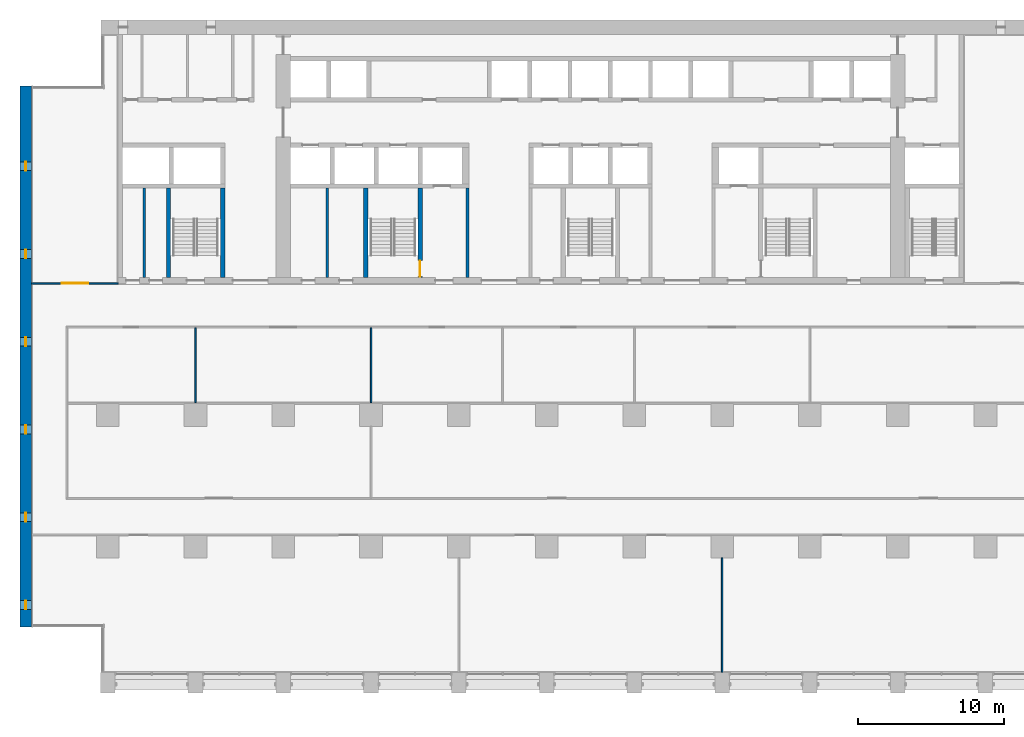
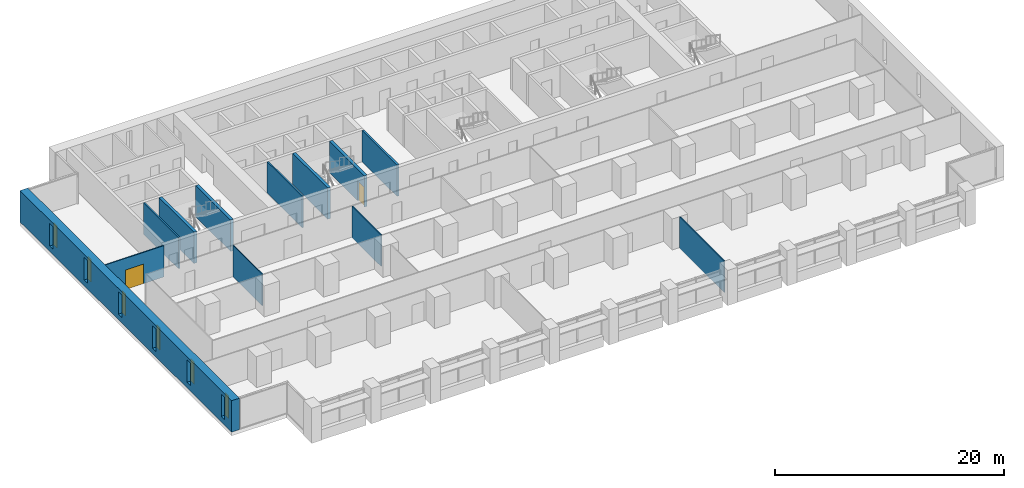
# One storey, part 8 of 17: 12 walls, 6 windows, 2 doors, 8 openings.
"""IFC4 building model written with IfcOpenShell, lengths in metres."""

from ifc_helpers import new_model, si_unit, direction, frame, frame_2d, origin, place, context, subcontext, project, spatial, rectangle, extrude, material, layer, layer_set, type_object, element, fill, save


model = new_model("IFC4")

# Units and contexts
model_context = context("Model", 3, precision=1e-05, world=origin(), true_north=direction((0.0, 1.0)))
body_context = subcontext(model_context, "Body", "Model", "MODEL_VIEW")
ifc_project = project(units=[si_unit("LENGTHUNIT", "METRE"), si_unit("AREAUNIT", "SQUARE_METRE"), si_unit("VOLUMEUNIT", "CUBIC_METRE"), si_unit("PLANEANGLEUNIT", "RADIAN"), si_unit("MASSUNIT", "GRAM", prefix="KILO")], contexts=[model_context])

# Site, building, storey
site_placement = place(None, origin())
site = spatial("IfcSite", under=ifc_project, at=site_placement, CompositionType="ELEMENT")
building_placement = place(site_placement, origin())
building = spatial("IfcBuilding", under=site, at=building_placement, Name="Calvaro Tower", CompositionType="ELEMENT")
storey_placement = place(building_placement, frame((0.0, 0.0, 71.25)))
storey = spatial("IfcBuildingStorey", under=building, at=storey_placement, Name="L17", CompositionType="ELEMENT", Elevation=71.25)

# Walls
ifc_material_1 = material(Name="Blockwork partition", Category="masonry")
ifc_layer_1 = layer(ifc_material_1, 0.14990234375)
ifc_layer_set_1 = layer_set([ifc_layer_1], Name="Blockwork partition")
wall_type_1 = type_object("IfcWallType", Name="Core partition 150 EI 60", PredefinedType="PARTITIONING", material=ifc_layer_set_1)
wall_1_placement = place(storey_placement, frame((21.0, 28.39990234375, 0.0), z_axis=(0.0, 0.0, 1.0), x_axis=(0.0, 1.0, 0.0)))
element("IfcWall", 1, at=wall_1_placement, inside=storey, type_object=wall_type_1, Name="Core partition", PredefinedType="PARTITIONING", context=body_context, shape_type="SweptSolid", body=[
    extrude(rectangle(XDim=6.10009765625, YDim=0.14990234375, at=frame_2d((3.050048828125, 0.0))), origin(), (0.0, 0.0, 1.0), 3.35009765625),
])
ifc_material_2 = material(Name="Blockwork partition", Category="masonry")
ifc_layer_2 = layer(ifc_material_2, 0.14990234375)
ifc_layer_set_2 = layer_set([ifc_layer_2], Name="Blockwork partition")
wall_type_2 = type_object("IfcWallType", Name="Core partition 150 REI 120", PredefinedType="PARTITIONING", material=ifc_layer_set_2)
wall_2_placement = place(storey_placement, frame((8.5, 28.39990234375, 0.0), z_axis=(0.0, 0.0, 1.0), x_axis=(0.0, 1.0, 0.0)))
element("IfcWall", 2, at=wall_2_placement, inside=storey, type_object=wall_type_2, Name="Core partition", PredefinedType="PARTITIONING", context=body_context, shape_type="SweptSolid", body=[
    extrude(rectangle(XDim=6.10009765625, YDim=0.14990234375, at=frame_2d((3.050048828125, 0.0))), origin(), (0.0, 0.0, 1.0), 3.35009765625),
])
ifc_material_3 = material(Name="Blockwork partition", Category="masonry")
ifc_layer_3 = layer(ifc_material_3, 0.199951171875)
ifc_layer_set_3 = layer_set([ifc_layer_3], Name="Blockwork partition")
wall_type_3 = type_object("IfcWallType", Name="Core partition 200 REI 120", PredefinedType="PARTITIONING", material=ifc_layer_set_3)
wall_3_placement = place(storey_placement, frame((30.60009765625, 28.39990234375, 0.0), z_axis=(0.0, 0.0, 1.0), x_axis=(0.0, 1.0, 0.0)))
element("IfcWall", 3, at=wall_3_placement, inside=storey, type_object=wall_type_3, Name="Core partition", PredefinedType="PARTITIONING", context=body_context, shape_type="SweptSolid", body=[
    extrude(rectangle(XDim=6.10009765625, YDim=0.199951171875, at=frame_2d((3.050048828125, 0.0))), origin(), (0.0, 0.0, 1.0), 3.35009765625),
])
ifc_material_4 = material(Name="Concrete C80/95", Category="concrete")
ifc_layer_4 = layer(ifc_material_4, 0.300048828125)
ifc_layer_set_4 = layer_set([ifc_layer_4], Name="Concrete C80/95")
wall_type_4 = type_object("IfcWallType", Name="Core wall C80/95 300", PredefinedType="SHEAR", material=ifc_layer_set_4)
for number, where, z_axis, x_axis, name in (
    (4, (10.14990234375, 28.39990234375, 0.0), (0.0, 0.0, 1.0), (0.0, 1.0, 0.0), "Core wall, stair enclosure"),
    (5, (13.85009765625, 28.39990234375, 0.0), (0.0, 0.0, 1.0), (0.0, 1.0, 0.0), "Core wall, stair enclosure"),
    (6, (23.64990234375, 28.39990234375, 0.0), (0.0, 0.0, 1.0), (0.0, 1.0, 0.0), "Core wall, stair enclosure"),
):
    element("IfcWall", number, at=place(storey_placement, frame(where, z_axis=z_axis, x_axis=x_axis)), inside=storey, type_object=wall_type_4, Name=name, PredefinedType="SHEAR", context=body_context, shape_type="SweptSolid", body=[
        extrude(rectangle(XDim=6.10009765625, YDim=0.300048828125, at=frame_2d((3.050048828125, 0.0))), origin(), (0.0, 0.0, 1.0), 3.35009765625),
    ])

# Wall, opening, door
wall_4_placement = place(storey_placement, frame((27.35009765625, 28.39990234375, 0.0), z_axis=(0.0, 0.0, 1.0), x_axis=(0.0, 1.0, 0.0)))
wall_4 = element("IfcWall", 7, at=wall_4_placement, inside=storey, type_object=wall_type_4, Name="Core wall, stair enclosure", PredefinedType="SHEAR", context=body_context, shape_type="SweptSolid", body=[
    extrude(rectangle(XDim=6.10009765625, YDim=0.300048828125, at=frame_2d((3.050048828125, 0.0))), origin(), (0.0, 0.0, 1.0), 3.35009765625),
])
opening_1_placement = place(wall_4_placement, frame((0.050048828125, 0.0, 0.0)))
opening_1 = element("IfcOpeningElement", 8, at=opening_1_placement, cuts=wall_4, Name="Opening FD11D", PredefinedType="OPENING", context=body_context, shape_type="SweptSolid", body=[
    extrude(rectangle(XDim=1.10009765625, YDim=2.10009765625, at=frame_2d((0.550048828125, 1.050048828125))), frame((0.0, 0.159912109375, 0.0), z_axis=(0.0, -1.0, 0.0), x_axis=(1.0, 0.0, 0.0)), (0.0, 0.0, 1.0), 0.320068359375),
])
ifc_material_5 = material(Name="Steel door set", Category="steel")
door_type_1 = type_object("IfcDoorType", Name="Fire door 1100 FD30S", OperationType="SINGLE_SWING_LEFT", PredefinedType="DOOR", material=ifc_material_5)
door_1_placement = place(opening_1_placement, origin())
door_1 = element("IfcDoor", 9, at=door_1_placement, inside=storey, type_object=door_type_1, Name="Fire door", OperationType="SINGLE_SWING_LEFT", OverallHeight=2.10009765625, OverallWidth=1.10009765625, PredefinedType="DOOR", context=body_context, shape_type="SweptSolid", body=[
    extrude(rectangle(XDim=1.10009765625, YDim=2.10009765625, at=frame_2d((0.550048828125, 1.050048828125))), frame((0.0, 0.02490234375, 0.0), z_axis=(0.0, -1.0, 0.0), x_axis=(1.0, 0.0, 0.0)), (0.0, 0.0, 1.0), 0.050048828125),
])
fill(opening_1, door_1)

# Wall, openings, windows
ifc_material_6 = material(Name="Concrete C80/95", Category="concrete")
ifc_layer_5 = layer(ifc_material_6, 0.800048828125)
ifc_layer_set_5 = layer_set([ifc_layer_5], Name="Concrete C80/95")
wall_type_5 = type_object("IfcWallType", Name="End wall 800 C80/95", PredefinedType="SHEAR", material=ifc_layer_set_5)
wall_5_placement = place(storey_placement, frame((0.39990234375, 4.5, 0.0), z_axis=(0.0, 0.0, 1.0), x_axis=(0.0, 1.0, 0.0)))
wall_5 = element("IfcWall", 10, at=wall_5_placement, inside=storey, type_object=wall_type_5, Name="End shear wall", PredefinedType="SHEAR", context=body_context, shape_type="SweptSolid", body=[
    extrude(rectangle(XDim=37.0, YDim=0.800048828125, at=frame_2d((18.5, 0.0))), origin(), (0.0, 0.0, 1.0), 3.35009765625),
])
opening_2_placement = place(wall_5_placement, frame((1.199951171875, 0.0, 0.60009765625)))
opening_2 = element("IfcOpeningElement", 11, at=opening_2_placement, cuts=wall_5, Name="Opening WW01", PredefinedType="OPENING", context=body_context, shape_type="SweptSolid", body=[
    extrude(rectangle(XDim=0.60009765625, YDim=2.39990234375, at=frame_2d((0.300048828125, 1.199951171875))), frame((0.0, 0.409912109375, 0.0), z_axis=(0.0, -1.0, 0.0), x_axis=(1.0, 0.0, 0.0)), (0.0, 0.0, 1.0), 0.820068359375),
])
opening_3_placement = place(wall_5_placement, frame((7.199951171875, 0.0, 0.60009765625)))
opening_3 = element("IfcOpeningElement", 12, at=opening_3_placement, cuts=wall_5, Name="Opening WW02", PredefinedType="OPENING", context=body_context, shape_type="SweptSolid", body=[
    extrude(rectangle(XDim=0.60009765625, YDim=2.39990234375, at=frame_2d((0.300048828125, 1.199951171875))), frame((0.0, 0.409912109375, 0.0), z_axis=(0.0, -1.0, 0.0), x_axis=(1.0, 0.0, 0.0)), (0.0, 0.0, 1.0), 0.820068359375),
])
opening_4_placement = place(wall_5_placement, frame((13.199951171875, 0.0, 0.60009765625)))
opening_4 = element("IfcOpeningElement", 13, at=opening_4_placement, cuts=wall_5, Name="Opening WW03", PredefinedType="OPENING", context=body_context, shape_type="SweptSolid", body=[
    extrude(rectangle(XDim=0.60009765625, YDim=2.39990234375, at=frame_2d((0.300048828125, 1.199951171875))), frame((0.0, 0.409912109375, 0.0), z_axis=(0.0, -1.0, 0.0), x_axis=(1.0, 0.0, 0.0)), (0.0, 0.0, 1.0), 0.820068359375),
])
opening_5_placement = place(wall_5_placement, frame((19.199951171875, 0.0, 0.60009765625)))
opening_5 = element("IfcOpeningElement", 14, at=opening_5_placement, cuts=wall_5, Name="Opening WW04", PredefinedType="OPENING", context=body_context, shape_type="SweptSolid", body=[
    extrude(rectangle(XDim=0.60009765625, YDim=2.39990234375, at=frame_2d((0.300048828125, 1.199951171875))), frame((0.0, 0.409912109375, 0.0), z_axis=(0.0, -1.0, 0.0), x_axis=(1.0, 0.0, 0.0)), (0.0, 0.0, 1.0), 0.820068359375),
])
opening_6_placement = place(wall_5_placement, frame((25.199951171875, 0.0, 0.60009765625)))
opening_6 = element("IfcOpeningElement", 15, at=opening_6_placement, cuts=wall_5, Name="Opening WW05", PredefinedType="OPENING", context=body_context, shape_type="SweptSolid", body=[
    extrude(rectangle(XDim=0.60009765625, YDim=2.39990234375, at=frame_2d((0.300048828125, 1.199951171875))), frame((0.0, 0.409912109375, 0.0), z_axis=(0.0, -1.0, 0.0), x_axis=(1.0, 0.0, 0.0)), (0.0, 0.0, 1.0), 0.820068359375),
])
opening_7_placement = place(wall_5_placement, frame((31.199951171875, 0.0, 0.60009765625)))
opening_7 = element("IfcOpeningElement", 16, at=opening_7_placement, cuts=wall_5, Name="Opening WW06", PredefinedType="OPENING", context=body_context, shape_type="SweptSolid", body=[
    extrude(rectangle(XDim=0.60009765625, YDim=2.39990234375, at=frame_2d((0.300048828125, 1.199951171875))), frame((0.0, 0.409912109375, 0.0), z_axis=(0.0, -1.0, 0.0), x_axis=(1.0, 0.0, 0.0)), (0.0, 0.0, 1.0), 0.820068359375),
])
ifc_material_7 = material(Name="Glass", Category="glass")
window_type = type_object("IfcWindowType", Name="Slit window 600 x 2400", PartitioningType="SINGLE_PANEL", PredefinedType="WINDOW", material=ifc_material_7)
window_1_placement = place(opening_2_placement, origin())
window_1 = element("IfcWindow", 17, at=window_1_placement, inside=storey, type_object=window_type, Name="Window WW01", OverallHeight=2.39990234375, OverallWidth=0.60009765625, PartitioningType="SINGLE_PANEL", PredefinedType="WINDOW", context=body_context, shape_type="SweptSolid", body=[
    extrude(rectangle(XDim=0.60009765625, YDim=2.39990234375, at=frame_2d((0.300048828125, 1.199951171875))), frame((0.0, 0.030029296875, 0.0), z_axis=(0.0, -1.0, 0.0), x_axis=(1.0, 0.0, 0.0)), (0.0, 0.0, 1.0), 0.06005859375),
])
fill(opening_2, window_1)
window_2_placement = place(opening_3_placement, origin())
window_2 = element("IfcWindow", 18, at=window_2_placement, inside=storey, type_object=window_type, Name="Window WW02", OverallHeight=2.39990234375, OverallWidth=0.60009765625, PartitioningType="SINGLE_PANEL", PredefinedType="WINDOW", context=body_context, shape_type="SweptSolid", body=[
    extrude(rectangle(XDim=0.60009765625, YDim=2.39990234375, at=frame_2d((0.300048828125, 1.199951171875))), frame((0.0, 0.030029296875, 0.0), z_axis=(0.0, -1.0, 0.0), x_axis=(1.0, 0.0, 0.0)), (0.0, 0.0, 1.0), 0.06005859375),
])
fill(opening_3, window_2)
window_3_placement = place(opening_4_placement, origin())
window_3 = element("IfcWindow", 19, at=window_3_placement, inside=storey, type_object=window_type, Name="Window WW03", OverallHeight=2.39990234375, OverallWidth=0.60009765625, PartitioningType="SINGLE_PANEL", PredefinedType="WINDOW", context=body_context, shape_type="SweptSolid", body=[
    extrude(rectangle(XDim=0.60009765625, YDim=2.39990234375, at=frame_2d((0.300048828125, 1.199951171875))), frame((0.0, 0.030029296875, 0.0), z_axis=(0.0, -1.0, 0.0), x_axis=(1.0, 0.0, 0.0)), (0.0, 0.0, 1.0), 0.06005859375),
])
fill(opening_4, window_3)
window_4_placement = place(opening_5_placement, origin())
window_4 = element("IfcWindow", 20, at=window_4_placement, inside=storey, type_object=window_type, Name="Window WW04", OverallHeight=2.39990234375, OverallWidth=0.60009765625, PartitioningType="SINGLE_PANEL", PredefinedType="WINDOW", context=body_context, shape_type="SweptSolid", body=[
    extrude(rectangle(XDim=0.60009765625, YDim=2.39990234375, at=frame_2d((0.300048828125, 1.199951171875))), frame((0.0, 0.030029296875, 0.0), z_axis=(0.0, -1.0, 0.0), x_axis=(1.0, 0.0, 0.0)), (0.0, 0.0, 1.0), 0.06005859375),
])
fill(opening_5, window_4)
window_5_placement = place(opening_6_placement, origin())
window_5 = element("IfcWindow", 21, at=window_5_placement, inside=storey, type_object=window_type, Name="Window WW05", OverallHeight=2.39990234375, OverallWidth=0.60009765625, PartitioningType="SINGLE_PANEL", PredefinedType="WINDOW", context=body_context, shape_type="SweptSolid", body=[
    extrude(rectangle(XDim=0.60009765625, YDim=2.39990234375, at=frame_2d((0.300048828125, 1.199951171875))), frame((0.0, 0.030029296875, 0.0), z_axis=(0.0, -1.0, 0.0), x_axis=(1.0, 0.0, 0.0)), (0.0, 0.0, 1.0), 0.06005859375),
])
fill(opening_6, window_5)
window_6_placement = place(opening_7_placement, origin())
window_6 = element("IfcWindow", 22, at=window_6_placement, inside=storey, type_object=window_type, Name="Window WW06", OverallHeight=2.39990234375, OverallWidth=0.60009765625, PartitioningType="SINGLE_PANEL", PredefinedType="WINDOW", context=body_context, shape_type="SweptSolid", body=[
    extrude(rectangle(XDim=0.60009765625, YDim=2.39990234375, at=frame_2d((0.300048828125, 1.199951171875))), frame((0.0, 0.030029296875, 0.0), z_axis=(0.0, -1.0, 0.0), x_axis=(1.0, 0.0, 0.0)), (0.0, 0.0, 1.0), 0.06005859375),
])
fill(opening_7, window_6)

# Wall, opening, door
ifc_material_8 = material(Name="Plasterboard on steel studs", Category="steel")
ifc_layer_6 = layer(ifc_material_8, 0.10009765625)
ifc_layer_set_6 = layer_set([ifc_layer_6], Name="Plasterboard on steel studs")
wall_type_6 = type_object("IfcWallType", Name="Partition 100", PredefinedType="PARTITIONING", material=ifc_layer_set_6)
wall_6_placement = place(storey_placement, frame((0.800048828125, 28.0, 0.0), z_axis=(0.0, 0.0, 1.0), x_axis=(1.0, 0.0, 0.0)))
wall_6 = element("IfcWall", 23, at=wall_6_placement, inside=storey, type_object=wall_type_6, Name="Partition T13.W005", PredefinedType="PARTITIONING", context=body_context, shape_type="SweptSolid", body=[
    extrude(rectangle(XDim=5.89990234375, YDim=0.10009765625, at=frame_2d((2.949951171875, 0.0))), origin(), (0.0, 0.0, 1.0), 3.35009765625),
])
opening_8_placement = place(wall_6_placement, frame((2.050048828125, 0.0, 0.0)))
opening_8 = element("IfcOpeningElement", 24, at=opening_8_placement, cuts=wall_6, Name="Opening T13.016", PredefinedType="OPENING", context=body_context, shape_type="SweptSolid", body=[
    extrude(rectangle(XDim=1.800048828125, YDim=2.10009765625, at=frame_2d((0.89990234375, 1.050048828125))), frame((0.0, 0.06005859375, 0.0), z_axis=(0.0, -1.0, 0.0), x_axis=(1.0, 0.0, 0.0)), (0.0, 0.0, 1.0), 0.1201171875),
])
ifc_material_9 = material(Name="Timber", Category="wood")
door_type_2 = type_object("IfcDoorType", Name="Internal double door 1800 x 2100", OperationType="DOUBLE_DOOR_SINGLE_SWING", PredefinedType="DOOR", material=ifc_material_9)
door_2_placement = place(opening_8_placement, origin())
door_2 = element("IfcDoor", 25, at=door_2_placement, inside=storey, type_object=door_type_2, Name="Door T13.016", OperationType="DOUBLE_DOOR_SINGLE_SWING", OverallHeight=2.10009765625, OverallWidth=1.800048828125, PredefinedType="DOOR", context=body_context, shape_type="SweptSolid", body=[
    extrude(rectangle(XDim=1.800048828125, YDim=2.10009765625, at=frame_2d((0.89990234375, 1.050048828125))), frame((0.0, 0.02490234375, 0.0), z_axis=(0.0, -1.0, 0.0), x_axis=(1.0, 0.0, 0.0)), (0.0, 0.0, 1.0), 0.050048828125),
])
fill(opening_8, door_2)

# Walls
for number, where, z_axis, x_axis, name in (
    (26, (12.0, 19.85009765625, 0.0), (0.0, 0.0, 1.0), (0.0, 1.0, 0.0), "Partition T13.W008"),
    (27, (24.0, 19.85009765625, 0.0), (0.0, 0.0, 1.0), (0.0, 1.0, 0.0), "Partition T13.W010"),
):
    element("IfcWall", number, at=place(storey_placement, frame(where, z_axis=z_axis, x_axis=x_axis)), inside=storey, type_object=wall_type_6, Name=name, PredefinedType="PARTITIONING", context=body_context, shape_type="SweptSolid", body=[
        extrude(rectangle(XDim=5.099853515625, YDim=0.10009765625, at=frame_2d((2.5498046875, 0.0))), origin(), (0.0, 0.0, 1.0), 3.35009765625),
    ])
wall_7_placement = place(storey_placement, frame((48.0, 1.39990234375, 0.0), z_axis=(0.0, 0.0, 1.0), x_axis=(0.0, 1.0, 0.0)))
element("IfcWall", 28, at=wall_7_placement, inside=storey, type_object=wall_type_6, Name="Partition T13.W014", PredefinedType="PARTITIONING", context=body_context, shape_type="SweptSolid", body=[
    extrude(rectangle(XDim=7.8251953125, YDim=0.10009765625, at=frame_2d((3.91259765625, 0.0))), origin(), (0.0, 0.0, 1.0), 3.35009765625),
])

save(model, "model.ifc")
